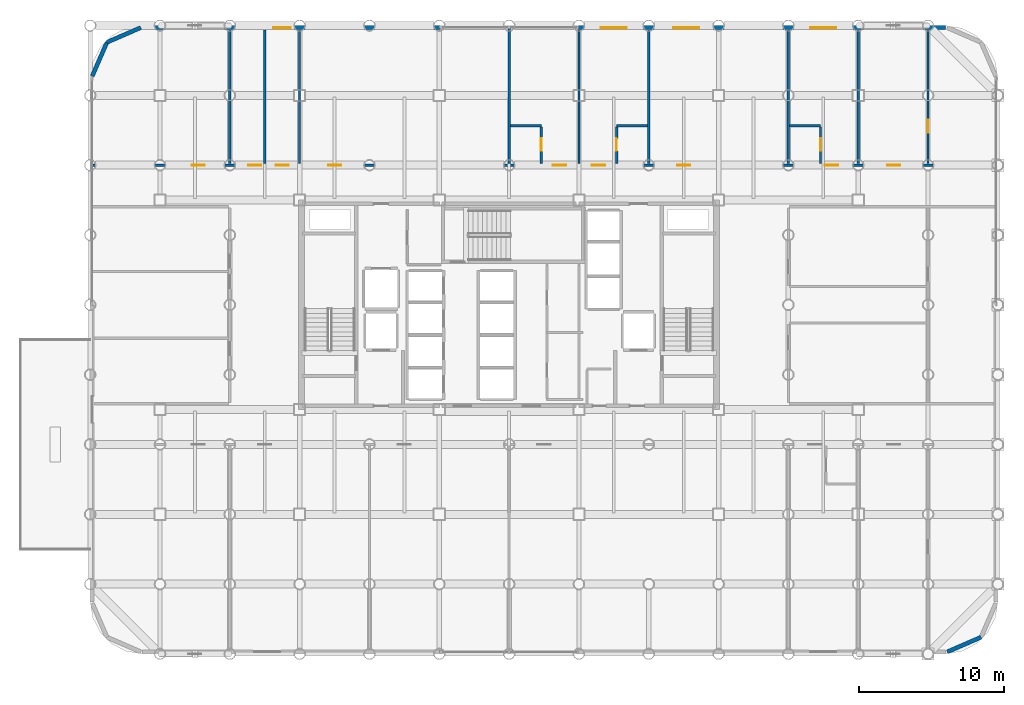
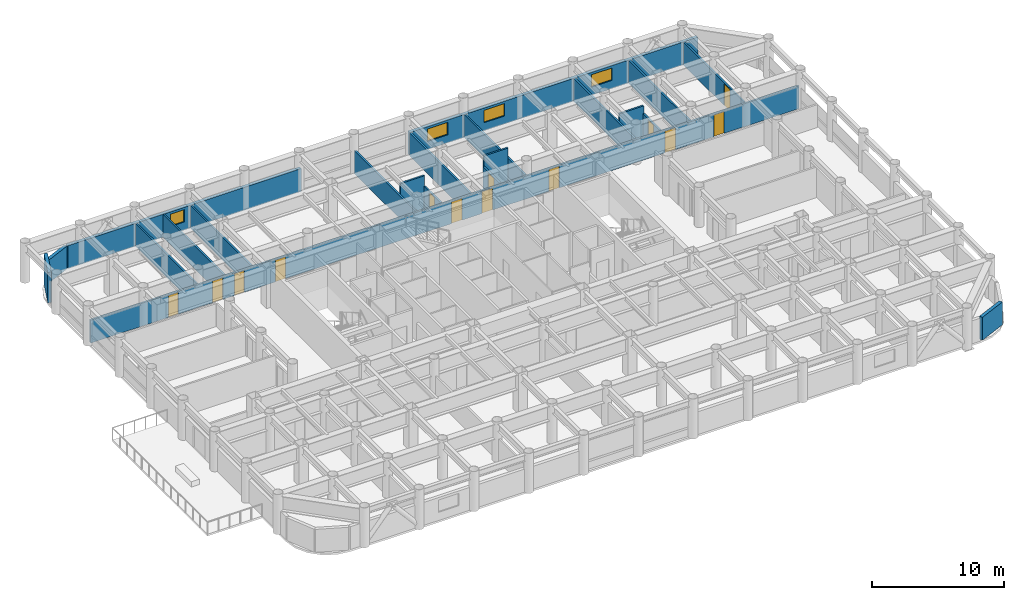
# One storey, part 19 of 22: 21 walls, 13 doors, 4 windows, 17 openings.
"""IFC4 building model written with IfcOpenShell, lengths in metres."""

from ifc_helpers import new_model, si_unit, direction, frame, frame_2d, origin, place, context, subcontext, project, spatial, rectangle, extrude, material, layer, layer_set, type_object, element, fill, save


model = new_model("IFC4")

# Units and contexts
model_context = context("Model", 3, precision=1e-05, world=origin(), true_north=direction((0.0, 1.0)))
body_context = subcontext(model_context, "Body", "Model", "MODEL_VIEW")
ifc_project = project(units=[si_unit("LENGTHUNIT", "METRE"), si_unit("AREAUNIT", "SQUARE_METRE"), si_unit("VOLUMEUNIT", "CUBIC_METRE"), si_unit("PLANEANGLEUNIT", "RADIAN"), si_unit("MASSUNIT", "GRAM", prefix="KILO")], contexts=[model_context])

# Site, building, storey
site_placement = place(None, origin())
site = spatial("IfcSite", under=ifc_project, at=site_placement, CompositionType="ELEMENT")
building_placement = place(site_placement, origin())
building = spatial("IfcBuilding", under=site, at=building_placement, Name="Kallvorn Hotel Tower", CompositionType="ELEMENT")
storey_placement = place(building_placement, frame((0.0, 0.0, 59.60009765625)))
storey = spatial("IfcBuildingStorey", under=building, at=storey_placement, Name="L13", CompositionType="ELEMENT", Elevation=59.60009765625)

# Wall, openings, doors
ifc_material_1 = material(Name="Fire-rated double-layer acoustic gypsum drywall EI 60")
ifc_layer_1 = layer(ifc_material_1, 0.159912109375)
ifc_layer_set_1 = layer_set([ifc_layer_1], Name="WL_DEMISE_160")
wall_type_1 = type_object("IfcWallType", Name="WL_DEMISE_160", PredefinedType="PARTITIONING", material=ifc_layer_set_1)
wall_1_placement = place(storey_placement, frame((-28.6298828125, 9.60009765625, 0.0), z_axis=(0.0, 0.0, 1.0), x_axis=(1.0, 0.0, 0.0)))
wall_1 = element("IfcWall", 1, at=wall_1_placement, inside=storey, type_object=wall_type_1, Name="L13 Suite 1302 Standard Twin Room Partition", PredefinedType="PARTITIONING", context=body_context, shape_type="SweptSolid", body=[
    extrude(rectangle(XDim=62.059814453125, YDim=0.159912109375, at=frame_2d((31.02978515625, 0.0))), origin(), (0.0, 0.0, 1.0), 2.119873046875),
])
opening_1_placement = place(wall_1_placement, frame((6.799560546875, 0.0, 0.0)))
opening_1 = element("IfcOpeningElement", 2, at=opening_1_placement, cuts=wall_1, Name="Opening SVD1A", PredefinedType="OPENING", context=body_context, shape_type="SweptSolid", body=[
    extrude(rectangle(XDim=0.89990234375, YDim=2.02001953125, at=frame_2d((0.449951171875, 1.010009765625))), frame((0.0, 0.094970703125, 0.0), z_axis=(0.0, -1.0, 0.0), x_axis=(1.0, 0.0, 0.0)), (0.0, 0.0, 1.0), 0.18994140625),
])
opening_2_placement = place(wall_1_placement, frame((54.6201171875, 0.0, 0.0)))
opening_2 = element("IfcOpeningElement", 3, at=opening_2_placement, cuts=wall_1, Name="Opening SVD1A", PredefinedType="OPENING", context=body_context, shape_type="SweptSolid", body=[
    extrude(rectangle(XDim=0.89990234375, YDim=2.02001953125, at=frame_2d((0.449951171875, 1.010009765625))), frame((0.0, 0.094970703125, 0.0), z_axis=(0.0, -1.0, 0.0), x_axis=(1.0, 0.0, 0.0)), (0.0, 0.0, 1.0), 0.18994140625),
])
opening_3_placement = place(wall_1_placement, frame((10.68994140625, 0.0, 0.0)))
opening_3 = element("IfcOpeningElement", 4, at=opening_3_placement, cuts=wall_1, Name="Opening SVD1A", PredefinedType="OPENING", context=body_context, shape_type="SweptSolid", body=[
    extrude(rectangle(XDim=0.89990234375, YDim=2.02001953125, at=frame_2d((0.449951171875, 1.010009765625))), frame((0.0, 0.094970703125, 0.0), z_axis=(0.0, -1.0, 0.0), x_axis=(1.0, 0.0, 0.0)), (0.0, 0.0, 1.0), 0.18994140625),
])
opening_4_placement = place(wall_1_placement, frame((12.580078125, 0.0, 0.0)))
opening_4 = element("IfcOpeningElement", 5, at=opening_4_placement, cuts=wall_1, Name="Opening SVD1A", PredefinedType="OPENING", context=body_context, shape_type="SweptSolid", body=[
    extrude(rectangle(XDim=0.89990234375, YDim=2.02001953125, at=frame_2d((0.449951171875, 1.010009765625))), frame((0.0, 0.094970703125, 0.0), z_axis=(0.0, -1.0, 0.0), x_axis=(1.0, 0.0, 0.0)), (0.0, 0.0, 1.0), 0.18994140625),
])
opening_5_placement = place(wall_1_placement, frame((16.179931640625, 0.0, 0.0)))
opening_5 = element("IfcOpeningElement", 6, at=opening_5_placement, cuts=wall_1, Name="Opening SVD1A", PredefinedType="OPENING", context=body_context, shape_type="SweptSolid", body=[
    extrude(rectangle(XDim=0.89990234375, YDim=2.02001953125, at=frame_2d((0.449951171875, 1.010009765625))), frame((0.0, 0.094970703125, 0.0), z_axis=(0.0, -1.0, 0.0), x_axis=(1.0, 0.0, 0.0)), (0.0, 0.0, 1.0), 0.18994140625),
])
opening_6_placement = place(wall_1_placement, frame((31.635009765625, 0.0, 0.0)))
opening_6 = element("IfcOpeningElement", 7, at=opening_6_placement, cuts=wall_1, Name="Opening GD1A", PredefinedType="OPENING", context=body_context, shape_type="SweptSolid", body=[
    extrude(rectangle(XDim=0.919921875, YDim=2.02001953125, at=frame_2d((0.4599609375, 1.010009765625))), frame((0.0, 0.094970703125, 0.0), z_axis=(0.0, -1.0, 0.0), x_axis=(1.0, 0.0, 0.0)), (0.0, 0.0, 1.0), 0.18994140625),
])
opening_7_placement = place(wall_1_placement, frame((34.304931640625, 0.0, 0.0)))
opening_7 = element("IfcOpeningElement", 8, at=opening_7_placement, cuts=wall_1, Name="Opening GD1A", PredefinedType="OPENING", context=body_context, shape_type="SweptSolid", body=[
    extrude(rectangle(XDim=0.919921875, YDim=2.02001953125, at=frame_2d((0.4599609375, 1.010009765625))), frame((0.0, 0.094970703125, 0.0), z_axis=(0.0, -1.0, 0.0), x_axis=(1.0, 0.0, 0.0)), (0.0, 0.0, 1.0), 0.18994140625),
])
opening_8_placement = place(wall_1_placement, frame((40.179931640625, 0.0, 0.0)))
opening_8 = element("IfcOpeningElement", 9, at=opening_8_placement, cuts=wall_1, Name="Opening SVD1A", PredefinedType="OPENING", context=body_context, shape_type="SweptSolid", body=[
    extrude(rectangle(XDim=0.89990234375, YDim=2.02001953125, at=frame_2d((0.449951171875, 1.010009765625))), frame((0.0, 0.094970703125, 0.0), z_axis=(0.0, -1.0, 0.0), x_axis=(1.0, 0.0, 0.0)), (0.0, 0.0, 1.0), 0.18994140625),
])
opening_9_placement = place(wall_1_placement, frame((50.340087890625, 0.0, 0.0)))
opening_9 = element("IfcOpeningElement", 10, at=opening_9_placement, cuts=wall_1, Name="Opening GD1A", PredefinedType="OPENING", context=body_context, shape_type="SweptSolid", body=[
    extrude(rectangle(XDim=0.919921875, YDim=2.02001953125, at=frame_2d((0.4599609375, 1.010009765625))), frame((0.0, 0.094970703125, 0.0), z_axis=(0.0, -1.0, 0.0), x_axis=(1.0, 0.0, 0.0)), (0.0, 0.0, 1.0), 0.18994140625),
])
ifc_material_2 = material(Name="Solid-core walnut veneer fire-rated timber door leaf", Category="wood")
door_type_1 = type_object("IfcDoorType", Name="DR_GUEST_920x2020", OperationType="NOTDEFINED", PredefinedType="DOOR", material=ifc_material_2)
door_1_placement = place(opening_6_placement, origin())
door_1 = element("IfcDoor", 11, at=door_1_placement, inside=storey, type_object=door_type_1, Name="L13 Suite 1302 Standard Twin Room Door", OperationType="SINGLE_SWING_RIGHT", OverallHeight=2.02001953125, OverallWidth=0.919921875, PredefinedType="DOOR", context=body_context, shape_type="SweptSolid", body=[
    extrude(rectangle(XDim=0.919921875, YDim=2.02001953125, at=frame_2d((0.4599609375, 1.010009765625))), frame((0.0, 0.02490234375, 0.0), z_axis=(0.0, -1.0, 0.0), x_axis=(1.0, 0.0, 0.0)), (0.0, 0.0, 1.0), 0.050048828125),
])
fill(opening_6, door_1)
door_2_placement = place(opening_7_placement, origin())
door_2 = element("IfcDoor", 12, at=door_2_placement, inside=storey, type_object=door_type_1, Name="L13 Suite 1303 Standard Twin Room Door", OperationType="SINGLE_SWING_RIGHT", OverallHeight=2.02001953125, OverallWidth=0.919921875, PredefinedType="DOOR", context=body_context, shape_type="SweptSolid", body=[
    extrude(rectangle(XDim=0.919921875, YDim=2.02001953125, at=frame_2d((0.4599609375, 1.010009765625))), frame((0.0, 0.02490234375, 0.0), z_axis=(0.0, -1.0, 0.0), x_axis=(1.0, 0.0, 0.0)), (0.0, 0.0, 1.0), 0.050048828125),
])
fill(opening_7, door_2)
door_3_placement = place(opening_9_placement, origin())
door_3 = element("IfcDoor", 13, at=door_3_placement, inside=storey, type_object=door_type_1, Name="L13 Suite 1304 Standard King Room Door", OperationType="SINGLE_SWING_RIGHT", OverallHeight=2.02001953125, OverallWidth=0.919921875, PredefinedType="DOOR", context=body_context, shape_type="SweptSolid", body=[
    extrude(rectangle(XDim=0.919921875, YDim=2.02001953125, at=frame_2d((0.4599609375, 1.010009765625))), frame((0.0, 0.02490234375, 0.0), z_axis=(0.0, -1.0, 0.0), x_axis=(1.0, 0.0, 0.0)), (0.0, 0.0, 1.0), 0.050048828125),
])
fill(opening_9, door_3)
ifc_material_3 = material(Name="Galvanised painted steel fire-rated door assembly", Category="steel")
door_type_2 = type_object("IfcDoorType", Name="DR_SERV_900x2020", OperationType="NOTDEFINED", PredefinedType="DOOR", material=ifc_material_3)
door_4_placement = place(opening_1_placement, origin())
door_4 = element("IfcDoor", 14, at=door_4_placement, inside=storey, type_object=door_type_2, Name="L13 L13 North-West Fitness Gymnasium Door", OperationType="SINGLE_SWING_LEFT", OverallHeight=2.02001953125, OverallWidth=0.89990234375, PredefinedType="DOOR", context=body_context, shape_type="SweptSolid", body=[
    extrude(rectangle(XDim=0.89990234375, YDim=2.02001953125, at=frame_2d((0.449951171875, 1.010009765625))), frame((0.0, 0.02490234375, 0.0), z_axis=(0.0, -1.0, 0.0), x_axis=(1.0, 0.0, 0.0)), (0.0, 0.0, 1.0), 0.050048828125),
])
fill(opening_1, door_4)
door_5_placement = place(opening_2_placement, origin())
door_5 = element("IfcDoor", 15, at=door_5_placement, inside=storey, type_object=door_type_2, Name="L13 L13 North-East Reading Club A Door", OperationType="SINGLE_SWING_LEFT", OverallHeight=2.02001953125, OverallWidth=0.89990234375, PredefinedType="DOOR", context=body_context, shape_type="SweptSolid", body=[
    extrude(rectangle(XDim=0.89990234375, YDim=2.02001953125, at=frame_2d((0.449951171875, 1.010009765625))), frame((0.0, 0.02490234375, 0.0), z_axis=(0.0, -1.0, 0.0), x_axis=(1.0, 0.0, 0.0)), (0.0, 0.0, 1.0), 0.050048828125),
])
fill(opening_2, door_5)
door_6_placement = place(opening_3_placement, origin())
door_6 = element("IfcDoor", 16, at=door_6_placement, inside=storey, type_object=door_type_2, Name="L13 Housekeeping and Linen Room Door", OperationType="SINGLE_SWING_LEFT", OverallHeight=2.02001953125, OverallWidth=0.89990234375, PredefinedType="DOOR", context=body_context, shape_type="SweptSolid", body=[
    extrude(rectangle(XDim=0.89990234375, YDim=2.02001953125, at=frame_2d((0.449951171875, 1.010009765625))), frame((0.0, 0.02490234375, 0.0), z_axis=(0.0, -1.0, 0.0), x_axis=(1.0, 0.0, 0.0)), (0.0, 0.0, 1.0), 0.050048828125),
])
fill(opening_3, door_6)
door_7_placement = place(opening_4_placement, origin())
door_7 = element("IfcDoor", 17, at=door_7_placement, inside=storey, type_object=door_type_2, Name="L13 Guest Tea and Refreshment Bar Door", OperationType="SINGLE_SWING_RIGHT", OverallHeight=2.02001953125, OverallWidth=0.89990234375, PredefinedType="DOOR", context=body_context, shape_type="SweptSolid", body=[
    extrude(rectangle(XDim=0.89990234375, YDim=2.02001953125, at=frame_2d((0.449951171875, 1.010009765625))), frame((0.0, 0.02490234375, 0.0), z_axis=(0.0, -1.0, 0.0), x_axis=(1.0, 0.0, 0.0)), (0.0, 0.0, 1.0), 0.050048828125),
])
fill(opening_4, door_7)
door_8_placement = place(opening_5_placement, origin())
door_8 = element("IfcDoor", 18, at=door_8_placement, inside=storey, type_object=door_type_2, Name="L13 L13 Cordillera Botanical Tea Salon 2 Door", OperationType="SINGLE_SWING_LEFT", OverallHeight=2.02001953125, OverallWidth=0.89990234375, PredefinedType="DOOR", context=body_context, shape_type="SweptSolid", body=[
    extrude(rectangle(XDim=0.89990234375, YDim=2.02001953125, at=frame_2d((0.449951171875, 1.010009765625))), frame((0.0, 0.02490234375, 0.0), z_axis=(0.0, -1.0, 0.0), x_axis=(1.0, 0.0, 0.0)), (0.0, 0.0, 1.0), 0.050048828125),
])
fill(opening_5, door_8)
door_9_placement = place(opening_8_placement, origin())
door_9 = element("IfcDoor", 19, at=door_9_placement, inside=storey, type_object=door_type_2, Name="L13 L13 Altitude Wellness Fitness Gymnasium 5 Door", OperationType="SINGLE_SWING_LEFT", OverallHeight=2.02001953125, OverallWidth=0.89990234375, PredefinedType="DOOR", context=body_context, shape_type="SweptSolid", body=[
    extrude(rectangle(XDim=0.89990234375, YDim=2.02001953125, at=frame_2d((0.449951171875, 1.010009765625))), frame((0.0, 0.02490234375, 0.0), z_axis=(0.0, -1.0, 0.0), x_axis=(1.0, 0.0, 0.0)), (0.0, 0.0, 1.0), 0.050048828125),
])
fill(opening_8, door_9)

# Walls
wall_2_placement = place(storey_placement, frame((0.080078125, 12.320068359375, 0.0), z_axis=(0.0, 0.0, 1.0), x_axis=(1.0, 0.0, 0.0)))
element("IfcWall", 20, at=wall_2_placement, inside=storey, type_object=wall_type_1, Name="L13 Suite 1302 Standard Twin Room Partition", PredefinedType="PARTITIONING", context=body_context, shape_type="SweptSolid", body=[
    extrude(rectangle(XDim=2.1298828125, YDim=0.159912109375, at=frame_2d((1.06494140625, 0.0))), origin(), (0.0, 0.0, 1.0), 3.06982421875),
])
wall_3_placement = place(storey_placement, frame((7.389892578125, 12.320068359375, 0.0), z_axis=(0.0, 0.0, 1.0), x_axis=(1.0, 0.0, 0.0)))
element("IfcWall", 21, at=wall_3_placement, inside=storey, type_object=wall_type_1, Name="L13 Suite 1303 Standard Twin Room Partition", PredefinedType="PARTITIONING", context=body_context, shape_type="SweptSolid", body=[
    extrude(rectangle(XDim=2.130126953125, YDim=0.159912109375, at=frame_2d((1.06494140625, 0.0))), origin(), (0.0, 0.0, 1.0), 3.06982421875),
])
wall_4_placement = place(storey_placement, frame((19.280029296875, 12.320068359375, 0.0), z_axis=(0.0, 0.0, 1.0), x_axis=(1.0, 0.0, 0.0)))
element("IfcWall", 22, at=wall_4_placement, inside=storey, type_object=wall_type_1, Name="L13 Suite 1304 Standard King Room Partition", PredefinedType="PARTITIONING", context=body_context, shape_type="SweptSolid", body=[
    extrude(rectangle(XDim=2.1298828125, YDim=0.159912109375, at=frame_2d((1.06494140625, 0.0))), origin(), (0.0, 0.0, 1.0), 2.81982421875),
])
wall_5_placement = place(storey_placement, frame((0.0, 9.719970703125, 0.0), z_axis=(0.0, 0.0, 1.0), x_axis=(0.0, 1.0, 0.0)))
element("IfcWall", 23, at=wall_5_placement, inside=storey, type_object=wall_type_1, Name="L13 Suite 1302 Standard Twin Room Partition", PredefinedType="PARTITIONING", context=body_context, shape_type="SweptSolid", body=[
    extrude(rectangle(XDim=9.275146484375, YDim=0.159912109375, at=frame_2d((4.6376953125, 0.0))), origin(), (0.0, 0.0, 1.0), 2.119873046875),
])

# Wall, opening, door
wall_6_placement = place(storey_placement, frame((2.2099609375, 9.719970703125, 0.0), z_axis=(0.0, 0.0, 1.0), x_axis=(0.0, 1.0, 0.0)))
wall_6 = element("IfcWall", 24, at=wall_6_placement, inside=storey, type_object=wall_type_1, Name="L13 Suite 1302 Standard Twin Room Partition", PredefinedType="PARTITIONING", context=body_context, shape_type="SweptSolid", body=[
    extrude(rectangle(XDim=2.51513671875, YDim=0.159912109375, at=frame_2d((1.257568359375, 0.0))), origin(), (0.0, 0.0, 1.0), 2.119873046875),
])
opening_10_placement = place(wall_6_placement, frame((0.8701171875, 0.0, 0.0)))
opening_10 = element("IfcOpeningElement", 25, at=opening_10_placement, cuts=wall_6, Name="Opening BD-IA", PredefinedType="OPENING", context=body_context, shape_type="SweptSolid", body=[
    extrude(rectangle(XDim=0.860107421875, YDim=2.02001953125, at=frame_2d((0.43017578125, 1.010009765625))), frame((0.0, 0.094970703125, 0.0), z_axis=(0.0, -1.0, 0.0), x_axis=(1.0, 0.0, 0.0)), (0.0, 0.0, 1.0), 0.18994140625),
])
ifc_material_4 = material(Name="Solid-core walnut veneer fire-rated timber door leaf", Category="wood")
door_type_3 = type_object("IfcDoorType", Name="DR_BATH_860x2020", OperationType="NOTDEFINED", PredefinedType="DOOR", material=ifc_material_4)
door_10_placement = place(opening_10_placement, origin())
door_10 = element("IfcDoor", 26, at=door_10_placement, inside=storey, type_object=door_type_3, Name="L13 Suite 1302 En-Suite Bathroom Door", OperationType="SINGLE_SWING_LEFT", OverallHeight=2.02001953125, OverallWidth=0.860107421875, PredefinedType="DOOR", context=body_context, shape_type="SweptSolid", body=[
    extrude(rectangle(XDim=0.860107421875, YDim=2.02001953125, at=frame_2d((0.43017578125, 1.010009765625))), frame((0.0, 0.02490234375, 0.0), z_axis=(0.0, -1.0, 0.0), x_axis=(1.0, 0.0, 0.0)), (0.0, 0.0, 1.0), 0.050048828125),
])
fill(opening_10, door_10)

# Wall
wall_7_placement = place(storey_placement, frame((4.800048828125, 9.719970703125, 0.0), z_axis=(0.0, 0.0, 1.0), x_axis=(0.0, 1.0, 0.0)))
element("IfcWall", 27, at=wall_7_placement, inside=storey, type_object=wall_type_1, Name="L13 Suite 1302 Standard Twin Room Partition", PredefinedType="PARTITIONING", context=body_context, shape_type="SweptSolid", body=[
    extrude(rectangle(XDim=9.18994140625, YDim=0.159912109375, at=frame_2d((4.594970703125, 0.0))), origin(), (0.0, 0.0, 1.0), 2.119873046875),
])

# Wall, opening, door
wall_8_placement = place(storey_placement, frame((7.389892578125, 9.719970703125, 0.0), z_axis=(0.0, 0.0, 1.0), x_axis=(0.0, 1.0, 0.0)))
wall_8 = element("IfcWall", 28, at=wall_8_placement, inside=storey, type_object=wall_type_1, Name="L13 Suite 1303 Standard Twin Room Partition", PredefinedType="PARTITIONING", context=body_context, shape_type="SweptSolid", body=[
    extrude(rectangle(XDim=2.51513671875, YDim=0.159912109375, at=frame_2d((1.257568359375, 0.0))), origin(), (0.0, 0.0, 1.0), 2.119873046875),
])
opening_11_placement = place(wall_8_placement, frame((0.8701171875, 0.0, 0.0)))
opening_11 = element("IfcOpeningElement", 29, at=opening_11_placement, cuts=wall_8, Name="Opening BD-IA", PredefinedType="OPENING", context=body_context, shape_type="SweptSolid", body=[
    extrude(rectangle(XDim=0.860107421875, YDim=2.02001953125, at=frame_2d((0.43017578125, 1.010009765625))), frame((0.0, 0.094970703125, 0.0), z_axis=(0.0, -1.0, 0.0), x_axis=(1.0, 0.0, 0.0)), (0.0, 0.0, 1.0), 0.18994140625),
])
door_11_placement = place(opening_11_placement, origin())
door_11 = element("IfcDoor", 30, at=door_11_placement, inside=storey, type_object=door_type_3, Name="L13 Suite 1303 En-Suite Bathroom Door", OperationType="SINGLE_SWING_RIGHT", OverallHeight=2.02001953125, OverallWidth=0.860107421875, PredefinedType="DOOR", context=body_context, shape_type="SweptSolid", body=[
    extrude(rectangle(XDim=0.860107421875, YDim=2.02001953125, at=frame_2d((0.43017578125, 1.010009765625))), frame((0.0, 0.02490234375, 0.0), z_axis=(0.0, -1.0, 0.0), x_axis=(1.0, 0.0, 0.0)), (0.0, 0.0, 1.0), 0.050048828125),
])
fill(opening_11, door_11)

# Walls
for number, where, z_axis, x_axis, name in (
    (31, (9.60009765625, 9.719970703125, 0.0), (0.0, 0.0, 1.0), (0.0, 1.0, 0.0), "L13 Suite 1303 Standard Twin Room Partition"),
    (32, (19.199951171875, 9.719970703125, 0.0), (0.0, 0.0, 1.0), (0.0, 1.0, 0.0), "L13 Suite 1304 Standard King Room Partition"),
):
    element("IfcWall", number, at=place(storey_placement, frame(where, z_axis=z_axis, x_axis=x_axis)), inside=storey, type_object=wall_type_1, Name=name, PredefinedType="PARTITIONING", context=body_context, shape_type="SweptSolid", body=[
        extrude(rectangle(XDim=9.18994140625, YDim=0.159912109375, at=frame_2d((4.594970703125, 0.0))), origin(), (0.0, 0.0, 1.0), 2.119873046875),
    ])

# Wall, opening, door
wall_9_placement = place(storey_placement, frame((21.409912109375, 9.719970703125, 0.0), z_axis=(0.0, 0.0, 1.0), x_axis=(0.0, 1.0, 0.0)))
wall_9 = element("IfcWall", 33, at=wall_9_placement, inside=storey, type_object=wall_type_1, Name="L13 Suite 1304 Standard King Room Partition", PredefinedType="PARTITIONING", context=body_context, shape_type="SweptSolid", body=[
    extrude(rectangle(XDim=2.51513671875, YDim=0.159912109375, at=frame_2d((1.257568359375, 0.0))), origin(), (0.0, 0.0, 1.0), 2.119873046875),
])
opening_12_placement = place(wall_9_placement, frame((0.8701171875, 0.0, 0.0)))
opening_12 = element("IfcOpeningElement", 34, at=opening_12_placement, cuts=wall_9, Name="Opening BD-IA", PredefinedType="OPENING", context=body_context, shape_type="SweptSolid", body=[
    extrude(rectangle(XDim=0.860107421875, YDim=2.02001953125, at=frame_2d((0.43017578125, 1.010009765625))), frame((0.0, 0.094970703125, 0.0), z_axis=(0.0, -1.0, 0.0), x_axis=(1.0, 0.0, 0.0)), (0.0, 0.0, 1.0), 0.18994140625),
])
door_12_placement = place(opening_12_placement, origin())
door_12 = element("IfcDoor", 35, at=door_12_placement, inside=storey, type_object=door_type_3, Name="L13 Suite 1304 En-Suite Bathroom Door", OperationType="SINGLE_SWING_RIGHT", OverallHeight=2.02001953125, OverallWidth=0.860107421875, PredefinedType="DOOR", context=body_context, shape_type="SweptSolid", body=[
    extrude(rectangle(XDim=0.860107421875, YDim=2.02001953125, at=frame_2d((0.43017578125, 1.010009765625))), frame((0.0, 0.02490234375, 0.0), z_axis=(0.0, -1.0, 0.0), x_axis=(1.0, 0.0, 0.0)), (0.0, 0.0, 1.0), 0.050048828125),
])
fill(opening_12, door_12)

# Walls
wall_10_placement = place(storey_placement, frame((24.0, 9.719970703125, 0.0), z_axis=(0.0, 0.0, 1.0), x_axis=(0.0, 1.0, 0.0)))
element("IfcWall", 36, at=wall_10_placement, inside=storey, type_object=wall_type_1, Name="L13 Suite 1304 Standard King Room Partition", PredefinedType="PARTITIONING", context=body_context, shape_type="SweptSolid", body=[
    extrude(rectangle(XDim=9.18994140625, YDim=0.159912109375, at=frame_2d((4.594970703125, 0.0))), origin(), (0.0, 0.0, 1.0), 2.119873046875),
])
ifc_material_5 = material(Name="Precast basalt-clad insulated concrete wall C40/50", Category="masonry")
ifc_layer_2 = layer(ifc_material_5, 0.280029296875)
ifc_layer_set_2 = layer_set([ifc_layer_2], Name="WL_EXT_LOGGIA_280")
wall_type_2 = type_object("IfcWallType", Name="WL_EXT_LOGGIA_280", PredefinedType="SOLIDWALL", material=ifc_layer_set_2)
for number, where, z_axis, x_axis, name in (
    (37, (30.120849609375, -23.85791015625, 0.0), (0.0, 0.0, 1.0), (0.917060872934, 0.398747232384, 0.0), "L13 Rounded Corner Exterior Wall SE1"),
    (38, (-25.32080078125, 19.057861328125, 0.0), (0.0, 0.0, 1.0), (-0.917060872934, -0.398747232384, 0.0), "L13 Rounded Corner Exterior Wall NW1"),
):
    element("IfcWall", number, at=place(storey_placement, frame(where, z_axis=z_axis, x_axis=x_axis)), inside=storey, type_object=wall_type_2, Name=name, PredefinedType="SOLIDWALL", context=body_context, shape_type="SweptSolid", body=[
        extrude(rectangle(XDim=2.5361328125, YDim=0.280029296875, at=frame_2d((1.26806640625, 0.0))), origin(), (0.0, 0.0, 1.0), 2.119873046875),
    ])
wall_11_placement = place(storey_placement, frame((-27.646484375, 18.046630859375, 0.0), z_axis=(0.0, 0.0, 1.0), x_axis=(-0.398792985289, -0.917040977756, 0.0)))
element("IfcWall", 39, at=wall_11_placement, inside=storey, type_object=wall_type_2, Name="L13 Rounded Corner Exterior Wall NW2", PredefinedType="SOLIDWALL", context=body_context, shape_type="SweptSolid", body=[
    extrude(rectangle(XDim=2.536376953125, YDim=0.280029296875, at=frame_2d((1.26806640625, 0.0))), origin(), (0.0, 0.0, 1.0), 2.81982421875),
])

# Wall, opening, window
wall_12_placement = place(storey_placement, frame((-25.199951171875, 19.06005859375, 0.0), z_axis=(0.0, 0.0, 1.0), x_axis=(1.0, 0.0, 0.0)))
wall_12 = element("IfcWall", 40, at=wall_12_placement, inside=storey, type_object=wall_type_2, Name="L13 Exterior Envelope Wall EW-L13-NW", PredefinedType="SOLIDWALL", context=body_context, shape_type="SweptSolid", body=[
    extrude(rectangle(XDim=20.449951171875, YDim=0.280029296875, at=frame_2d((10.22509765625, 0.0))), origin(), (0.0, 0.0, 1.0), 2.119873046875),
])
opening_13_placement = place(wall_12_placement, frame((9.0, 0.0, 0.75)))
opening_13 = element("IfcOpeningElement", 41, at=opening_13_placement, cuts=wall_12, Name="Opening W06A", PredefinedType="OPENING", context=body_context, shape_type="SweptSolid", body=[
    extrude(rectangle(XDim=1.199951171875, YDim=1.14990234375, at=frame_2d((0.60009765625, 0.574951171875))), frame((0.0, 0.155029296875, 0.0), z_axis=(0.0, -1.0, 0.0), x_axis=(1.0, 0.0, 0.0)), (0.0, 0.0, 1.0), 0.31005859375),
])
ifc_material_6 = material(Name="Triple-glazed low-e acoustic solar-control dark glass", Category="glass")
window_type_1 = type_object("IfcWindowType", Name="WN_HTL_1200x1150", PartitioningType="SINGLE_PANEL", PredefinedType="WINDOW", material=ifc_material_6)
window_1_placement = place(opening_13_placement, origin())
window_1 = element("IfcWindow", 42, at=window_1_placement, inside=storey, type_object=window_type_1, Name="L13 Guestroom Exterior Window 03", OverallHeight=1.14990234375, OverallWidth=1.199951171875, PartitioningType="SINGLE_PANEL", PredefinedType="WINDOW", context=body_context, shape_type="SweptSolid", body=[
    extrude(rectangle(XDim=1.199951171875, YDim=1.14990234375, at=frame_2d((0.60009765625, 0.574951171875))), frame((0.0, 0.030029296875, 0.0), z_axis=(0.0, -1.0, 0.0), x_axis=(1.0, 0.0, 0.0)), (0.0, 0.0, 1.0), 0.06005859375),
])
fill(opening_13, window_1)

# Wall, openings, windows
wall_13_placement = place(storey_placement, frame((4.75, 19.06005859375, 0.0), z_axis=(0.0, 0.0, 1.0), x_axis=(1.0, 0.0, 0.0)))
wall_13 = element("IfcWall", 43, at=wall_13_placement, inside=storey, type_object=wall_type_2, Name="L13 Exterior Envelope Wall EW-L13-NE", PredefinedType="SOLIDWALL", context=body_context, shape_type="SweptSolid", body=[
    extrude(rectangle(XDim=25.25, YDim=0.280029296875, at=frame_2d((12.625, 0.0))), origin(), (0.0, 0.0, 1.0), 2.119873046875),
])
opening_14_placement = place(wall_13_placement, frame((1.550048828125, 0.0, 0.75)))
opening_14 = element("IfcOpeningElement", 44, at=opening_14_placement, cuts=wall_13, Name="Opening W04A", PredefinedType="OPENING", context=body_context, shape_type="SweptSolid", body=[
    extrude(rectangle(XDim=1.800048828125, YDim=1.14990234375, at=frame_2d((0.89990234375, 0.574951171875))), frame((0.0, 0.155029296875, 0.0), z_axis=(0.0, -1.0, 0.0), x_axis=(1.0, 0.0, 0.0)), (0.0, 0.0, 1.0), 0.31005859375),
])
opening_15_placement = place(wall_13_placement, frame((6.530029296875, 0.0, 0.75)))
opening_15 = element("IfcOpeningElement", 45, at=opening_15_placement, cuts=wall_13, Name="Opening W04A", PredefinedType="OPENING", context=body_context, shape_type="SweptSolid", body=[
    extrude(rectangle(XDim=1.800048828125, YDim=1.14990234375, at=frame_2d((0.89990234375, 0.574951171875))), frame((0.0, 0.155029296875, 0.0), z_axis=(0.0, -1.0, 0.0), x_axis=(1.0, 0.0, 0.0)), (0.0, 0.0, 1.0), 0.31005859375),
])
opening_16_placement = place(wall_13_placement, frame((15.949951171875, 0.0, 0.75)))
opening_16 = element("IfcOpeningElement", 46, at=opening_16_placement, cuts=wall_13, Name="Opening W04A", PredefinedType="OPENING", context=body_context, shape_type="SweptSolid", body=[
    extrude(rectangle(XDim=1.800048828125, YDim=1.14990234375, at=frame_2d((0.89990234375, 0.574951171875))), frame((0.0, 0.155029296875, 0.0), z_axis=(0.0, -1.0, 0.0), x_axis=(1.0, 0.0, 0.0)), (0.0, 0.0, 1.0), 0.31005859375),
])
ifc_material_7 = material(Name="Double-glazed low-e solar-control dark glass", Category="glass")
window_type_2 = type_object("IfcWindowType", Name="WN_HTL_1800x1150", PartitioningType="SINGLE_PANEL", PredefinedType="WINDOW", material=ifc_material_7)
window_2_placement = place(opening_14_placement, origin())
window_2 = element("IfcWindow", 47, at=window_2_placement, inside=storey, type_object=window_type_2, Name="L13 Guestroom Exterior Window 04", OverallHeight=1.14990234375, OverallWidth=1.800048828125, PartitioningType="SINGLE_PANEL", PredefinedType="WINDOW", context=body_context, shape_type="SweptSolid", body=[
    extrude(rectangle(XDim=1.800048828125, YDim=1.14990234375, at=frame_2d((0.89990234375, 0.574951171875))), frame((0.0, 0.030029296875, 0.0), z_axis=(0.0, -1.0, 0.0), x_axis=(1.0, 0.0, 0.0)), (0.0, 0.0, 1.0), 0.06005859375),
])
fill(opening_14, window_2)
window_3_placement = place(opening_15_placement, origin())
window_3 = element("IfcWindow", 48, at=window_3_placement, inside=storey, type_object=window_type_2, Name="L13 Guestroom Exterior Window 05", OverallHeight=1.14990234375, OverallWidth=1.800048828125, PartitioningType="SINGLE_PANEL", PredefinedType="WINDOW", context=body_context, shape_type="SweptSolid", body=[
    extrude(rectangle(XDim=1.800048828125, YDim=1.14990234375, at=frame_2d((0.89990234375, 0.574951171875))), frame((0.0, 0.030029296875, 0.0), z_axis=(0.0, -1.0, 0.0), x_axis=(1.0, 0.0, 0.0)), (0.0, 0.0, 1.0), 0.06005859375),
])
fill(opening_15, window_3)
window_4_placement = place(opening_16_placement, origin())
window_4 = element("IfcWindow", 49, at=window_4_placement, inside=storey, type_object=window_type_2, Name="L13 Guestroom Exterior Window 06", OverallHeight=1.14990234375, OverallWidth=1.800048828125, PartitioningType="SINGLE_PANEL", PredefinedType="WINDOW", context=body_context, shape_type="SweptSolid", body=[
    extrude(rectangle(XDim=1.800048828125, YDim=1.14990234375, at=frame_2d((0.89990234375, 0.574951171875))), frame((0.0, 0.030029296875, 0.0), z_axis=(0.0, -1.0, 0.0), x_axis=(1.0, 0.0, 0.0)), (0.0, 0.0, 1.0), 0.06005859375),
])
fill(opening_16, window_4)

# Walls
ifc_material_8 = material(Name="Fire-rated double-layer acoustic gypsum drywall EI 60")
ifc_layer_3 = layer(ifc_material_8, 0.14990234375)
ifc_layer_set_3 = layer_set([ifc_layer_3], Name="WL_PART_150")
wall_type_3 = type_object("IfcWallType", Name="WL_PART_150", PredefinedType="PARTITIONING", material=ifc_layer_set_3)
for number, where, z_axis, x_axis, name in (
    (50, (-19.199951171875, 9.719970703125, 0.0), (0.0, 0.0, 1.0), (0.0, 1.0, 0.0), "L13 Housekeeping and Linen Room Partition"),
    (51, (-16.800048828125, 9.719970703125, 0.0), (0.0, 0.0, 1.0), (0.0, 1.0, 0.0), "L13 Guest Tea and Refreshment Bar Partition"),
    (52, (-14.39990234375, 9.719970703125, 0.0), (0.0, 0.0, 1.0), (0.0, 1.0, 0.0), "L13 Guest Tea and Refreshment Bar Partition"),
):
    element("IfcWall", number, at=place(storey_placement, frame(where, z_axis=z_axis, x_axis=x_axis)), inside=storey, type_object=wall_type_3, Name=name, PredefinedType="PARTITIONING", context=body_context, shape_type="SweptSolid", body=[
        extrude(rectangle(XDim=9.18994140625, YDim=0.14990234375, at=frame_2d((4.594970703125, 0.0))), origin(), (0.0, 0.0, 1.0), 2.119873046875),
    ])

# Wall, opening, door
wall_14_placement = place(storey_placement, frame((28.800048828125, 9.719970703125, 0.0), z_axis=(0.0, 0.0, 1.0), x_axis=(0.0, 1.0, 0.0)))
wall_14 = element("IfcWall", 53, at=wall_14_placement, inside=storey, type_object=wall_type_3, Name="L13 L13 North-East Reading Club A Partition", PredefinedType="PARTITIONING", context=body_context, shape_type="SweptSolid", body=[
    extrude(rectangle(XDim=9.18994140625, YDim=0.14990234375, at=frame_2d((4.594970703125, 0.0))), origin(), (0.0, 0.0, 1.0), 2.119873046875),
])
opening_17_placement = place(wall_14_placement, frame((2.10791015625, 0.0, 0.0)))
opening_17 = element("IfcOpeningElement", 54, at=opening_17_placement, cuts=wall_14, Name="Opening SVD1A", PredefinedType="OPENING", context=body_context, shape_type="SweptSolid", body=[
    extrude(rectangle(XDim=0.89990234375, YDim=2.02001953125, at=frame_2d((0.449951171875, 1.010009765625))), frame((0.0, 0.08984375, 0.0), z_axis=(0.0, -1.0, 0.0), x_axis=(1.0, 0.0, 0.0)), (0.0, 0.0, 1.0), 0.179931640625),
])
door_13_placement = place(opening_17_placement, origin())
door_13 = element("IfcDoor", 55, at=door_13_placement, inside=storey, type_object=door_type_2, Name="L13 L13 North-East Reading Club B Door", OperationType="SINGLE_SWING_RIGHT", OverallHeight=2.02001953125, OverallWidth=0.89990234375, PredefinedType="DOOR", context=body_context, shape_type="SweptSolid", body=[
    extrude(rectangle(XDim=0.89990234375, YDim=2.02001953125, at=frame_2d((0.449951171875, 1.010009765625))), frame((0.0, 0.02490234375, 0.0), z_axis=(0.0, -1.0, 0.0), x_axis=(1.0, 0.0, 0.0)), (0.0, 0.0, 1.0), 0.050048828125),
])
fill(opening_17, door_13)

save(model, "model.ifc")
